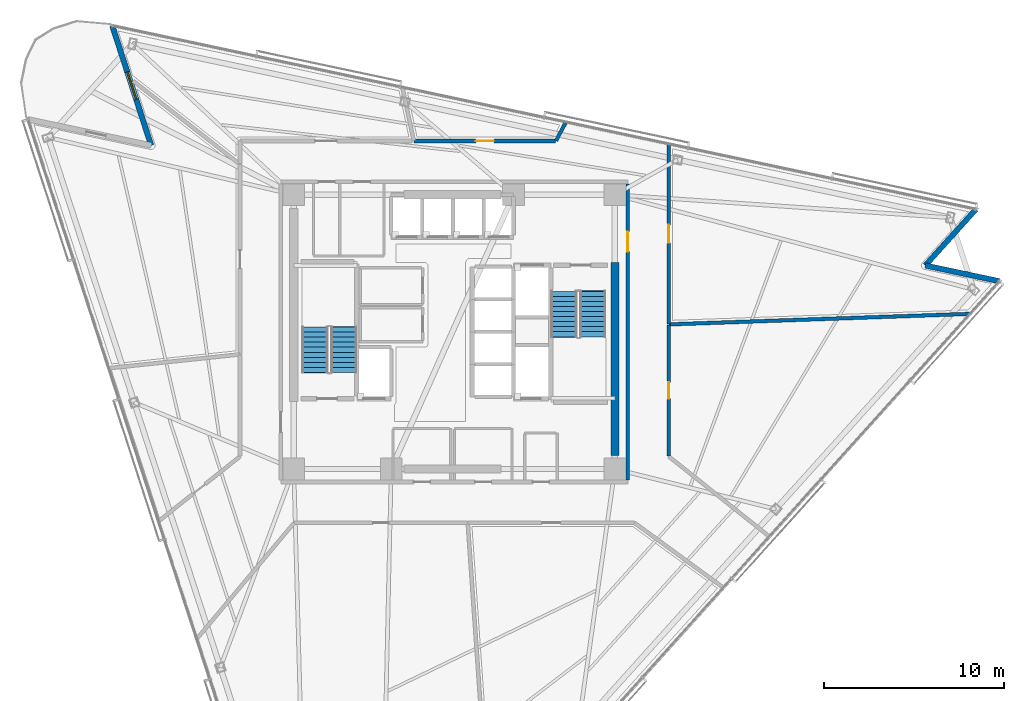
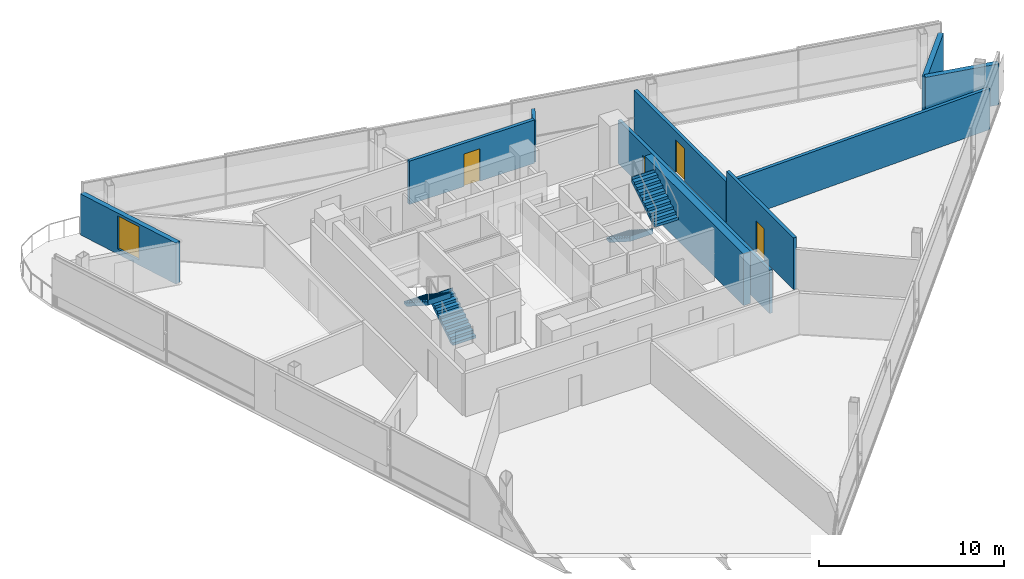
# One storey, part 12 of 17: 10 walls, 4 doors, 4 stair flights, 1 window, 5 openings, 2 elements without a shape of their own.
"""IFC4 building model written with IfcOpenShell, lengths in metres."""

from ifc_helpers import new_model, si_unit, direction, frame, frame_2d, origin, place, context, subcontext, project, spatial, polyline, rectangle, outline, extrude, material, layer, layer_set, type_object, element, fill, aggregate, save


model = new_model("IFC4")

# Units and contexts
model_context = context("Model", 3, precision=1e-05, world=origin(), true_north=direction((0.0, 1.0)))
body_context = subcontext(model_context, "Body", "Model", "MODEL_VIEW")
ifc_project = project(units=[si_unit("LENGTHUNIT", "METRE"), si_unit("AREAUNIT", "SQUARE_METRE"), si_unit("VOLUMEUNIT", "CUBIC_METRE"), si_unit("PLANEANGLEUNIT", "RADIAN"), si_unit("MASSUNIT", "GRAM", prefix="KILO")], contexts=[model_context])

# Site, building, storey
site_placement = place(None, origin())
site = spatial("IfcSite", under=ifc_project, at=site_placement, CompositionType="ELEMENT")
building_placement = place(site_placement, origin())
building = spatial("IfcBuilding", under=site, at=building_placement, Name="Tharavind Bronze Gate", CompositionType="ELEMENT")
storey_placement = place(building_placement, frame((0.0, 0.0, 204.050048828125)))
storey = spatial("IfcBuildingStorey", under=building, at=storey_placement, Name="L52", CompositionType="ELEMENT", Elevation=204.050048828125)

# Wall, opening, window
ifc_material_1 = material(Name="Concrete C40/50", Category="concrete")
ifc_layer_1 = layer(ifc_material_1, 0.300048828125)
ifc_layer_set_1 = layer_set([ifc_layer_1], Name="Concrete C40/50")
wall_type_1 = type_object("IfcWallType", Name="EXTERIOR SPANDREL WALL 300", PredefinedType="STANDARD", material=ifc_layer_set_1)
wall_1_placement = place(storey_placement, frame((-18.959716796875, 16.967529296875, 0.0), z_axis=(0.0, 0.0, 1.0), x_axis=(0.309030708092, -0.951052060329, 0.0)))
wall_1 = element("IfcWall", 1, at=wall_1_placement, inside=storey, type_object=wall_type_1, Name="L52 notch cheek wall 1A", PredefinedType="STANDARD", context=body_context, shape_type="SweptSolid", body=[
    extrude(rectangle(XDim=6.979736328125, YDim=0.300048828125, at=frame_2d((3.48974609375, 0.0))), origin(), (0.0, 0.0, 1.0), 2.71484375),
])
opening_1_placement = place(wall_1_placement, frame((2.68994140625, 0.0, 0.3349609375)))
opening_1 = element("IfcOpeningElement", 2, at=opening_1_placement, cuts=wall_1, Name="Opening W05", PredefinedType="OPENING", context=body_context, shape_type="SweptSolid", body=[
    extrude(rectangle(XDim=1.60009765625, YDim=2.199951171875, at=frame_2d((0.800048828125, 1.10009765625))), frame((0.0, 0.15990234375, 0.0), z_axis=(0.0, -1.0, 0.0), x_axis=(1.0, 0.0, 0.0)), (0.0, 0.0, 1.0), 0.320048828125),
])
ifc_material_2 = material(Name="Bronze Aluminium & Low-E Glass", Category="aluminium")
window_type = type_object("IfcWindowType", Name="OFFICE NOTCH BRONZE WINDOW 1600X2200", PartitioningType="DOUBLE_PANEL_VERTICAL", PredefinedType="WINDOW", material=ifc_material_2)
window_placement = place(opening_1_placement, origin())
window = element("IfcWindow", 3, at=window_placement, inside=storey, type_object=window_type, Name="L52 exterior window WL-L52-NCA1-01", OverallHeight=2.199951171875, OverallWidth=1.60009765625, PartitioningType="SINGLE_PANEL", PredefinedType="WINDOW", context=body_context, shape_type="SweptSolid", body=[
    extrude(rectangle(XDim=1.60009765625, YDim=2.199951171875, at=frame_2d((0.800048828125, 1.10009765625))), frame((0.0, 0.030029296875, 0.0), z_axis=(0.0, -1.0, 0.0), x_axis=(1.0, 0.0, 0.0)), (0.0, 0.0, 1.0), 0.06005859375),
])
fill(opening_1, window)

# Walls
for number, where, z_axis, x_axis, name in (
    (4, (30.199462890625, 2.810546875, 0.0), (0.0, 0.0, 1.0), (-0.978144033538, 0.207928472445, 0.0), "L52 notch cheek wall 3A"),
    (5, (26.102783203125, 3.681396484375, 0.0), (0.0, 0.0, 1.0), (0.669151507466, 0.743126005504, 0.0), "L52 notch cheek wall 3B"),
):
    element("IfcWall", number, at=place(storey_placement, frame(where, z_axis=z_axis, x_axis=x_axis)), inside=storey, type_object=wall_type_1, Name=name, PredefinedType="STANDARD", context=body_context, shape_type="SweptSolid", body=[
        extrude(rectangle(XDim=4.188232421875, YDim=0.300048828125, at=frame_2d((2.09423828125, 0.0))), origin(), (0.0, 0.0, 1.0), 2.71484375),
    ])

# Wall, opening, door
ifc_material_3 = material(Name="Aerated Concrete Block", Category="concrete")
ifc_layer_2 = layer(ifc_material_3, 0.199951171875)
ifc_layer_set_2 = layer_set([ifc_layer_2], Name="Aerated Concrete Block")
wall_type_2 = type_object("IfcWallType", Name="FIRE RATED PARTITION 200", PredefinedType="PARTITIONING", material=ifc_layer_set_2)
wall_2_placement = place(storey_placement, frame((9.6201171875, -8.199951171875, 0.0), z_axis=(0.0, 0.0, 1.0), x_axis=(0.0, 1.0, 0.0)))
wall_2 = element("IfcWall", 6, at=wall_2_placement, inside=storey, type_object=wall_type_2, Name="L52 east core corridor wall", PredefinedType="PARTITIONING", context=body_context, shape_type="SweptSolid", body=[
    extrude(rectangle(XDim=16.39990234375, YDim=0.199951171875, at=frame_2d((8.199951171875, 0.0))), origin(), (0.0, 0.0, 1.0), 2.864990234375),
])
opening_2_placement = place(wall_2_placement, frame((12.64990234375, 0.0, 0.0)))
opening_2 = element("IfcOpeningElement", 7, at=opening_2_placement, cuts=wall_2, Name="Opening ID01", PredefinedType="OPENING", context=body_context, shape_type="SweptSolid", body=[
    extrude(rectangle(XDim=1.10009765625, YDim=2.14990234375, at=frame_2d((0.550048828125, 1.074951171875))), frame((0.0, 0.11009765625, 0.0), z_axis=(0.0, -1.0, 0.0), x_axis=(1.0, 0.0, 0.0)), (0.0, 0.0, 1.0), 0.219951171875),
])
ifc_material_4 = material(Name="Fire-Rated Steel", Category="steel")
door_type_1 = type_object("IfcDoorType", Name="STAIR CORE FIRE DOOR 1100X2150", OperationType="SINGLE_SWING_LEFT", PredefinedType="DOOR", material=ifc_material_4)
door_1_placement = place(opening_2_placement, frame((1.10009765625, 0.0, 0.0), z_axis=(0.0, 0.0, 1.0), x_axis=(-1.0, 0.0, 0.0)))
door_1 = element("IfcDoor", 8, at=door_1_placement, inside=storey, type_object=door_type_1, Name="L52 north east stair lobby fire door", OperationType="SINGLE_SWING_LEFT", OverallHeight=2.14990234375, OverallWidth=1.10009765625, PredefinedType="DOOR", context=body_context, shape_type="SweptSolid", body=[
    extrude(rectangle(XDim=1.10009765625, YDim=2.14990234375, at=frame_2d((0.550048828125, 1.074951171875))), frame((0.0, 0.02490234375, 0.0), z_axis=(0.0, -1.0, 0.0), x_axis=(1.0, 0.0, 0.0)), (0.0, 0.0, 1.0), 0.050048828125),
])
fill(opening_2, door_1)

# Wall
wall_3_placement = place(storey_placement, frame((28.556396484375, 0.997314453125, 0.0), z_axis=(0.0, 0.0, 1.0), x_axis=(-0.999390620762, -0.03490540262, 0.0)))
element("IfcWall", 9, at=wall_3_placement, inside=storey, type_object=wall_type_2, Name="L52 Venture Partners Office East partition", PredefinedType="PARTITIONING", context=body_context, shape_type="SweptSolid", body=[
    extrude(rectangle(XDim=16.66064453125, YDim=0.199951171875, at=frame_2d((8.330322265625, 0.0))), origin(), (0.0, 0.0, 1.0), 2.71484375),
])

# Wall, opening, door
wall_4_placement = place(storey_placement, frame((11.8798828125, 0.440673828125, 0.0), z_axis=(0.0, 0.0, 1.0), x_axis=(0.0, 1.0, 0.0)))
wall_4 = element("IfcWall", 10, at=wall_4_placement, inside=storey, type_object=wall_type_2, Name="L52 Venture Partners Office East partition", PredefinedType="PARTITIONING", context=body_context, shape_type="SweptSolid", body=[
    extrude(rectangle(XDim=9.9716796875, YDim=0.199951171875, at=frame_2d((4.98583984375, 0.0))), origin(), (0.0, 0.0, 1.0), 2.71484375),
])
opening_3_placement = place(wall_4_placement, frame((4.486083984375, 0.0, 0.0)))
opening_3 = element("IfcOpeningElement", 11, at=opening_3_placement, cuts=wall_4, Name="Opening ID04", PredefinedType="OPENING", context=body_context, shape_type="SweptSolid", body=[
    extrude(rectangle(XDim=1.0, YDim=2.14990234375, at=frame_2d((0.5, 1.074951171875))), frame((0.0, 0.11009765625, 0.0), z_axis=(0.0, -1.0, 0.0), x_axis=(1.0, 0.0, 0.0)), (0.0, 0.0, 1.0), 0.219951171875),
])
ifc_material_5 = material(Name="Bronze Framed Acoustic Timber", Category="wood")
door_type_2 = type_object("IfcDoorType", Name="OFFICE TENANCY DOOR 1000X2150", OperationType="SINGLE_SWING_RIGHT", PredefinedType="DOOR", material=ifc_material_5)
door_2_placement = place(opening_3_placement, origin())
door_2 = element("IfcDoor", 12, at=door_2_placement, inside=storey, type_object=door_type_2, Name="L52 Venture Partners Office East door", OperationType="SINGLE_SWING_RIGHT", OverallHeight=2.14990234375, OverallWidth=1.0, PredefinedType="DOOR", context=body_context, shape_type="SweptSolid", body=[
    extrude(rectangle(XDim=1.0, YDim=2.14990234375, at=frame_2d((0.5, 1.074951171875))), frame((0.0, 0.02490234375, 0.0), z_axis=(0.0, -1.0, 0.0), x_axis=(1.0, 0.0, 0.0)), (0.0, 0.0, 1.0), 0.050048828125),
])
fill(opening_3, door_2)

# Wall
wall_5_placement = place(storey_placement, frame((6.1806640625, 11.623779296875, 0.0), z_axis=(0.0, 0.0, 1.0), x_axis=(-0.469578283784, -0.882890840024, 0.0)))
element("IfcWall", 13, at=wall_5_placement, inside=storey, type_object=wall_type_2, Name="L52 Venture Partners Office West partition", PredefinedType="PARTITIONING", context=body_context, shape_type="SweptSolid", body=[
    extrude(rectangle(XDim=1.167236328125, YDim=0.199951171875, at=frame_2d((0.58349609375, 0.0))), origin(), (0.0, 0.0, 1.0), 2.71484375),
])

# Wall, opening, door
wall_6_placement = place(storey_placement, frame((5.610595703125, 10.580078125, 0.0), z_axis=(0.0, 0.0, 1.0), x_axis=(-1.0, 0.0, 0.0)))
wall_6 = element("IfcWall", 14, at=wall_6_placement, inside=storey, type_object=wall_type_2, Name="L52 Venture Partners Office West partition", PredefinedType="PARTITIONING", context=body_context, shape_type="SweptSolid", body=[
    extrude(rectangle(XDim=7.839111328125, YDim=0.199951171875, at=frame_2d((3.91943359375, 0.0))), origin(), (0.0, 0.0, 1.0), 2.864990234375),
])
opening_4_placement = place(wall_6_placement, frame((3.419921875, 0.0, 0.0)))
opening_4 = element("IfcOpeningElement", 15, at=opening_4_placement, cuts=wall_6, Name="Opening ID04", PredefinedType="OPENING", context=body_context, shape_type="SweptSolid", body=[
    extrude(rectangle(XDim=1.0, YDim=2.14990234375, at=frame_2d((0.5, 1.074951171875))), frame((0.0, 0.11009765625, 0.0), z_axis=(0.0, -1.0, 0.0), x_axis=(1.0, 0.0, 0.0)), (0.0, 0.0, 1.0), 0.219951171875),
])
door_3_placement = place(opening_4_placement, origin())
door_3 = element("IfcDoor", 16, at=door_3_placement, inside=storey, type_object=door_type_2, Name="L52 Venture Partners Office West door", OperationType="SINGLE_SWING_RIGHT", OverallHeight=2.14990234375, OverallWidth=1.0, PredefinedType="DOOR", context=body_context, shape_type="SweptSolid", body=[
    extrude(rectangle(XDim=1.0, YDim=2.14990234375, at=frame_2d((0.5, 1.074951171875))), frame((0.0, 0.02490234375, 0.0), z_axis=(0.0, -1.0, 0.0), x_axis=(1.0, 0.0, 0.0)), (0.0, 0.0, 1.0), 0.050048828125),
])
fill(opening_4, door_3)

wall_7_placement = place(storey_placement, frame((11.8798828125, -6.891357421875, 0.0), z_axis=(0.0, 0.0, 1.0), x_axis=(0.0, 1.0, 0.0)))
wall_7 = element("IfcWall", 17, at=wall_7_placement, inside=storey, type_object=wall_type_2, Name="L52 Tea Pantry partition", PredefinedType="PARTITIONING", context=body_context, shape_type="SweptSolid", body=[
    extrude(rectangle(XDim=7.281982421875, YDim=0.199951171875, at=frame_2d((3.64111328125, 0.0))), origin(), (0.0, 0.0, 1.0), 3.419921875),
])
opening_5_placement = place(wall_7_placement, frame((3.19091796875, 0.0, 0.0)))
opening_5 = element("IfcOpeningElement", 18, at=opening_5_placement, cuts=wall_7, Name="Opening ID07", PredefinedType="OPENING", context=body_context, shape_type="SweptSolid", body=[
    extrude(rectangle(XDim=0.89990234375, YDim=2.10009765625, at=frame_2d((0.449951171875, 1.050048828125))), frame((0.0, 0.11009765625, 0.0), z_axis=(0.0, -1.0, 0.0), x_axis=(1.0, 0.0, 0.0)), (0.0, 0.0, 1.0), 0.219951171875),
])
ifc_material_6 = material(Name="Galvanised Fire Steel", Category="steel")
door_type_3 = type_object("IfcDoorType", Name="PLANT AND RISER FIRE DOOR 900X2100", OperationType="SINGLE_SWING_LEFT", PredefinedType="DOOR", material=ifc_material_6)
door_4_placement = place(opening_5_placement, origin())
door_4 = element("IfcDoor", 19, at=door_4_placement, inside=storey, type_object=door_type_3, Name="L52 Tea Pantry door", OperationType="SINGLE_SWING_LEFT", OverallHeight=2.10009765625, OverallWidth=0.89990234375, PredefinedType="DOOR", context=body_context, shape_type="SweptSolid", body=[
    extrude(rectangle(XDim=0.89990234375, YDim=2.10009765625, at=frame_2d((0.449951171875, 1.050048828125))), frame((0.0, 0.02490234375, 0.0), z_axis=(0.0, -1.0, 0.0), x_axis=(1.0, 0.0, 0.0)), (0.0, 0.0, 1.0), 0.050048828125),
])
fill(opening_5, door_4)

# Wall
ifc_material_7 = material(Name="Concrete C60/75", Category="concrete")
ifc_layer_3 = layer(ifc_material_7, 0.449951171875)
ifc_layer_set_3 = layer_set([ifc_layer_3], Name="Concrete C60/75")
wall_type_3 = type_object("IfcWallType", Name="RC CORE SHEAR WALL 450", PredefinedType="SHEAR", material=ifc_layer_set_3)
wall_8_placement = place(storey_placement, frame((8.89990234375, -6.85009765625, 0.0), z_axis=(0.0, 0.0, 1.0), x_axis=(0.0, 1.0, 0.0)))
element("IfcWall", 20, at=wall_8_placement, inside=storey, type_object=wall_type_3, Name="L52 east core shear wall", PredefinedType="SHEAR", context=body_context, shape_type="SweptSolid", body=[
    extrude(rectangle(XDim=10.7001953125, YDim=0.449951171875, at=frame_2d((5.35009765625, 0.0))), origin(), (0.0, 0.0, 1.0), 3.419921875),
])

# Stair, stair flights
stair_type = type_object("IfcStairType", Name="CORE HALF TURN STAIR 1450", PredefinedType="HALF_TURN_STAIR", material=ifc_material_1)
stair_1_placement = place(storey_placement, origin())
stair_1 = element("IfcStair", 21, at=stair_1_placement, inside=storey, type_object=stair_type, Name="L52 Protected Exit Stair ST1", PredefinedType="HALF_TURN_STAIR")
stair_flight_type = type_object("IfcStairFlightType", Name="CORE STAIR FLIGHT 1450", PredefinedType="STRAIGHT", material=ifc_material_1)
stair_flight_1_placement = place(storey_placement, frame((-6.125, -2.25, 0.0), z_axis=(0.0, 0.0, 1.0), x_axis=(0.0, 1.0, 0.0)))
stair_flight_1 = element("IfcStairFlight", 22, at=stair_flight_1_placement, type_object=stair_flight_type, Name="ST1 flight 1", NumberOfRisers=10, NumberOfTreads=9, PredefinedType="STRAIGHT", RiserHeight=0.18, TreadLength=0.28, context=body_context, shape_type="SweptSolid", body=[
    extrude(outline(polyline([(0.0, 0.0), (0.0, 0.179931640625), (0.280029296875, 0.179931640625), (0.280029296875, 0.360107421875), (0.56005859375, 0.360107421875), (0.56005859375, 0.5400390625), (0.840087890625, 0.5400390625), (0.840087890625, 0.719970703125), (1.1201171875, 0.719970703125), (1.1201171875, 0.89990234375), (1.39990234375, 0.89990234375), (1.39990234375, 1.080078125), (1.679931640625, 1.080078125), (1.679931640625, 1.260009765625), (1.9599609375, 1.260009765625), (1.9599609375, 1.43994140625), (2.239990234375, 1.43994140625), (2.239990234375, 1.6201171875), (2.52001953125, 1.6201171875), (2.52001953125, 1.800048828125), (2.555908203125, 1.800048828125), (2.555908203125, 1.44189453125), (0.277099609375, 0.0), (0.0, 0.0)])), frame((0.0, 0.72509765625, 0.0), z_axis=(0.0, -1.0, 0.0), x_axis=(1.0, 0.0, 0.0)), (0.0, 0.0, 1.0), 1.449951171875),
])
stair_flight_2_placement = place(storey_placement, frame((-7.72509765625, 0.27001953125, 1.800048828125), z_axis=(0.0, 0.0, 1.0), x_axis=(0.0, -1.0, 0.0)))
stair_flight_2 = element("IfcStairFlight", 23, at=stair_flight_2_placement, type_object=stair_flight_type, Name="ST1 flight 2", NumberOfRisers=10, NumberOfTreads=9, PredefinedType="STRAIGHT", RiserHeight=0.18, TreadLength=0.28, context=body_context, shape_type="SweptSolid", body=[
    extrude(outline(polyline([(0.0, 0.0), (0.0, 0.179931640625), (0.280029296875, 0.179931640625), (0.280029296875, 0.360107421875), (0.56005859375, 0.360107421875), (0.56005859375, 0.5400390625), (0.840087890625, 0.5400390625), (0.840087890625, 0.719970703125), (1.1201171875, 0.719970703125), (1.1201171875, 0.89990234375), (1.39990234375, 0.89990234375), (1.39990234375, 1.080078125), (1.679931640625, 1.080078125), (1.679931640625, 1.260009765625), (1.9599609375, 1.260009765625), (1.9599609375, 1.43994140625), (2.239990234375, 1.43994140625), (2.239990234375, 1.6201171875), (2.52001953125, 1.6201171875), (2.52001953125, 1.800048828125), (2.555908203125, 1.800048828125), (2.555908203125, 1.44189453125), (0.277099609375, 0.0), (0.0, 0.0)])), frame((0.0, 0.72509765625, 0.0), z_axis=(0.0, -1.0, 0.0), x_axis=(1.0, 0.0, 0.0)), (0.0, 0.0, 1.0), 1.449951171875),
])
aggregate(stair_1, [stair_flight_1, stair_flight_2])

stair_2_placement = place(storey_placement, origin())
stair_2 = element("IfcStair", 24, at=stair_2_placement, inside=storey, type_object=stair_type, Name="L52 Protected Exit Stair ST2", PredefinedType="HALF_TURN_STAIR")
stair_flight_3_placement = place(storey_placement, frame((6.074951171875, 2.25, 0.0), z_axis=(0.0, 0.0, 1.0), x_axis=(0.0, -1.0, 0.0)))
stair_flight_3 = element("IfcStairFlight", 25, at=stair_flight_3_placement, type_object=stair_flight_type, Name="ST2 flight 1", NumberOfRisers=10, NumberOfTreads=9, PredefinedType="STRAIGHT", RiserHeight=0.18, TreadLength=0.28, context=body_context, shape_type="SweptSolid", body=[
    extrude(outline(polyline([(0.0, 0.0), (0.0, 0.179931640625), (0.280029296875, 0.179931640625), (0.280029296875, 0.360107421875), (0.56005859375, 0.360107421875), (0.56005859375, 0.5400390625), (0.840087890625, 0.5400390625), (0.840087890625, 0.719970703125), (1.1201171875, 0.719970703125), (1.1201171875, 0.89990234375), (1.39990234375, 0.89990234375), (1.39990234375, 1.080078125), (1.679931640625, 1.080078125), (1.679931640625, 1.260009765625), (1.9599609375, 1.260009765625), (1.9599609375, 1.43994140625), (2.239990234375, 1.43994140625), (2.239990234375, 1.6201171875), (2.52001953125, 1.6201171875), (2.52001953125, 1.800048828125), (2.555908203125, 1.800048828125), (2.555908203125, 1.44189453125), (0.277099609375, 0.0), (0.0, 0.0)])), frame((0.0, 0.72509765625, 0.0), z_axis=(0.0, -1.0, 0.0), x_axis=(1.0, 0.0, 0.0)), (0.0, 0.0, 1.0), 1.449951171875),
])
stair_flight_4_placement = place(storey_placement, frame((7.675048828125, -0.27001953125, 1.800048828125), z_axis=(0.0, 0.0, 1.0), x_axis=(0.0, 1.0, 0.0)))
stair_flight_4 = element("IfcStairFlight", 26, at=stair_flight_4_placement, type_object=stair_flight_type, Name="ST2 flight 2", NumberOfRisers=10, NumberOfTreads=9, PredefinedType="STRAIGHT", RiserHeight=0.18, TreadLength=0.28, context=body_context, shape_type="SweptSolid", body=[
    extrude(outline(polyline([(0.0, 0.0), (0.0, 0.179931640625), (0.280029296875, 0.179931640625), (0.280029296875, 0.360107421875), (0.56005859375, 0.360107421875), (0.56005859375, 0.5400390625), (0.840087890625, 0.5400390625), (0.840087890625, 0.719970703125), (1.1201171875, 0.719970703125), (1.1201171875, 0.89990234375), (1.39990234375, 0.89990234375), (1.39990234375, 1.080078125), (1.679931640625, 1.080078125), (1.679931640625, 1.260009765625), (1.9599609375, 1.260009765625), (1.9599609375, 1.43994140625), (2.239990234375, 1.43994140625), (2.239990234375, 1.6201171875), (2.52001953125, 1.6201171875), (2.52001953125, 1.800048828125), (2.555908203125, 1.800048828125), (2.555908203125, 1.44189453125), (0.277099609375, 0.0), (0.0, 0.0)])), frame((0.0, 0.72509765625, 0.0), z_axis=(0.0, -1.0, 0.0), x_axis=(1.0, 0.0, 0.0)), (0.0, 0.0, 1.0), 1.449951171875),
])
aggregate(stair_2, [stair_flight_3, stair_flight_4])

save(model, "model.ifc")
